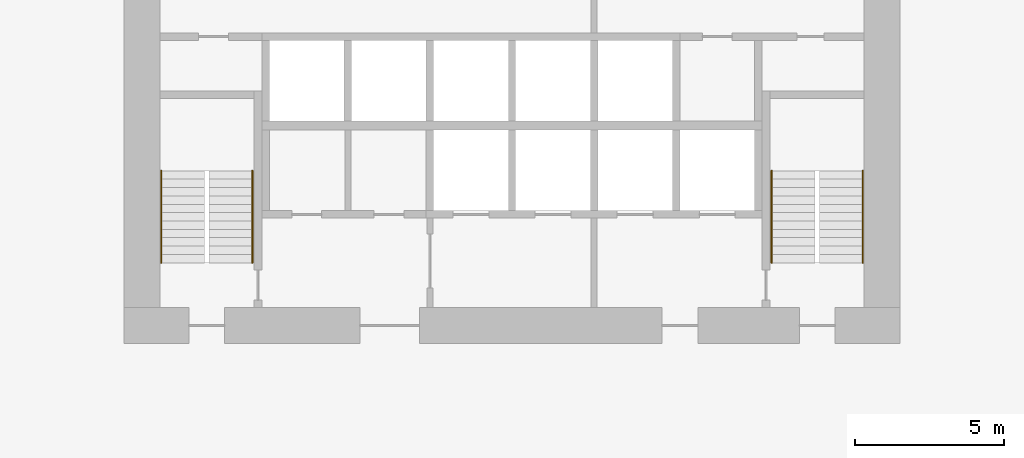
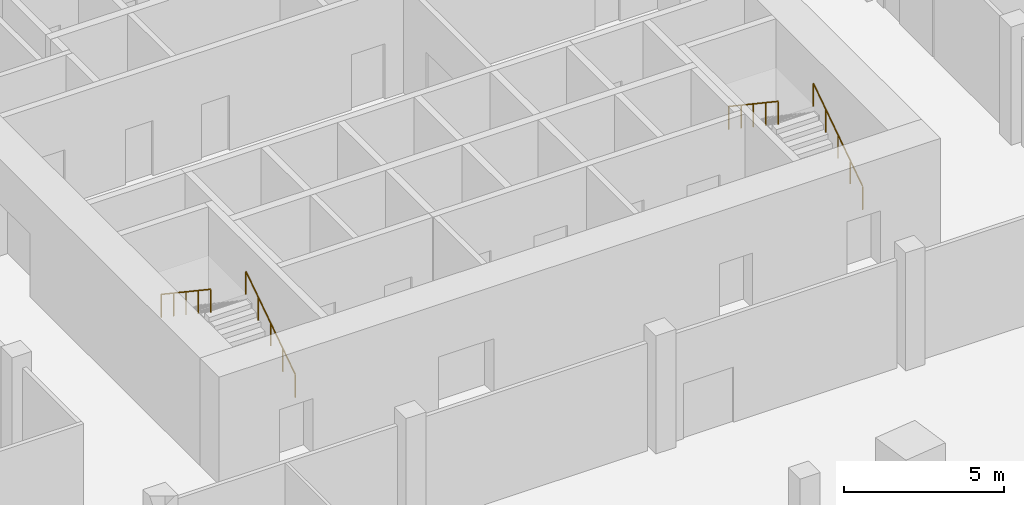
# One storey, part 22 of 27: 4 railings.
"""IFC4 building model written with IfcOpenShell, lengths in metres."""

from ifc_helpers import new_model, si_unit, direction, frame, origin, origin_2d, place, context, subcontext, project, spatial, circle, extrude, material, type_object, element, save


model = new_model("IFC4")

# Units and contexts
model_context = context("Model", 3, precision=1e-05, world=origin(), true_north=direction((0.0, 1.0)))
body_context = subcontext(model_context, "Body", "Model", "MODEL_VIEW")
ifc_project = project(units=[si_unit("LENGTHUNIT", "METRE"), si_unit("AREAUNIT", "SQUARE_METRE"), si_unit("VOLUMEUNIT", "CUBIC_METRE"), si_unit("PLANEANGLEUNIT", "RADIAN"), si_unit("MASSUNIT", "GRAM", prefix="KILO")], contexts=[model_context])

# Site, building, storey
site_placement = place(None, origin())
site = spatial("IfcSite", under=ifc_project, at=site_placement, CompositionType="ELEMENT")
building_placement = place(site_placement, origin())
building = spatial("IfcBuilding", under=site, at=building_placement, Name="Dilmun Exchange Tower", CompositionType="ELEMENT")
storey_placement = place(building_placement, frame((0.0, 0.0, 4.5)))
storey = spatial("IfcBuildingStorey", under=building, at=storey_placement, Name="L01", CompositionType="ELEMENT", Elevation=4.5)

# Railings
ifc_material = material(Name="Stainless steel", Category="steel")
railing_type = type_object("IfcRailingType", Name="Stair handrail 900", PredefinedType="HANDRAIL", material=ifc_material)
railing_1_placement = place(storey_placement, frame((-8.699951171875, -10.300048828125, 0.1875)))
element("IfcRailing", 1, at=railing_1_placement, inside=storey, type_object=railing_type, Name="L01 ST2 stair handrail 1", PredefinedType="HANDRAIL", context=body_context, shape_type="SweptSolid", body=[
    extrude(circle(Radius=0.02392578125, at=origin_2d()), frame((0.0, 0.0, 0.8759765625), z_axis=(0.0, 0.830913701846, 0.55640131208), x_axis=(-1.0, 0.0, 0.0)), (0.0, 0.0, 1.0), 3.706787109375),
    extrude(circle(Radius=0.02099609375, at=origin_2d()), origin(), (0.0, 0.0, 1.0), 0.851806640625),
    extrude(circle(Radius=0.02099609375, at=origin_2d()), frame((0.0, 0.77001953125, 0.515625)), (0.0, 0.0, 1.0), 0.851806640625),
    extrude(circle(Radius=0.02099609375, at=origin_2d()), frame((0.0, 1.5400390625, 1.03125)), (0.0, 0.0, 1.0), 0.851806640625),
    extrude(circle(Radius=0.02099609375, at=origin_2d()), frame((0.0, 2.31005859375, 1.546875)), (0.0, 0.0, 1.0), 0.851806640625),
    extrude(circle(Radius=0.02099609375, at=origin_2d()), frame((0.0, 3.080078125, 2.0625)), (0.0, 0.0, 1.0), 0.851806640625),
])
railing_2_placement = place(storey_placement, frame((-11.75, -7.219970703125, 2.4375)))
element("IfcRailing", 2, at=railing_2_placement, inside=storey, type_object=railing_type, Name="L01 ST2 stair handrail 2", PredefinedType="HANDRAIL", context=body_context, shape_type="SweptSolid", body=[
    extrude(circle(Radius=0.02392578125, at=origin_2d()), frame((0.0, 0.0, 0.8759765625), z_axis=(0.0, -0.830913701846, 0.55640131208), x_axis=(1.0, 0.0, 0.0)), (0.0, 0.0, 1.0), 3.706787109375),
    extrude(circle(Radius=0.02099609375, at=origin_2d()), origin(), (0.0, 0.0, 1.0), 0.851806640625),
    extrude(circle(Radius=0.02099609375, at=origin_2d()), frame((0.0, -0.77001953125, 0.515625)), (0.0, 0.0, 1.0), 0.851806640625),
    extrude(circle(Radius=0.02099609375, at=origin_2d()), frame((0.0, -1.5400390625, 1.03125)), (0.0, 0.0, 1.0), 0.851806640625),
    extrude(circle(Radius=0.02099609375, at=origin_2d()), frame((0.0, -2.31005859375, 1.546875)), (0.0, 0.0, 1.0), 0.851806640625),
    extrude(circle(Radius=0.02099609375, at=origin_2d()), frame((0.0, -3.080078125, 2.0625)), (0.0, 0.0, 1.0), 0.851806640625),
])
railing_3_placement = place(storey_placement, frame((11.75, -10.300048828125, 0.1875)))
element("IfcRailing", 3, at=railing_3_placement, inside=storey, type_object=railing_type, Name="L01 ST3 stair handrail 1", PredefinedType="HANDRAIL", context=body_context, shape_type="SweptSolid", body=[
    extrude(circle(Radius=0.02392578125, at=origin_2d()), frame((0.0, 0.0, 0.8759765625), z_axis=(0.0, 0.830913701846, 0.55640131208), x_axis=(-1.0, 0.0, 0.0)), (0.0, 0.0, 1.0), 3.706787109375),
    extrude(circle(Radius=0.02099609375, at=origin_2d()), origin(), (0.0, 0.0, 1.0), 0.851806640625),
    extrude(circle(Radius=0.02099609375, at=origin_2d()), frame((0.0, 0.77001953125, 0.515625)), (0.0, 0.0, 1.0), 0.851806640625),
    extrude(circle(Radius=0.02099609375, at=origin_2d()), frame((0.0, 1.5400390625, 1.03125)), (0.0, 0.0, 1.0), 0.851806640625),
    extrude(circle(Radius=0.02099609375, at=origin_2d()), frame((0.0, 2.31005859375, 1.546875)), (0.0, 0.0, 1.0), 0.851806640625),
    extrude(circle(Radius=0.02099609375, at=origin_2d()), frame((0.0, 3.080078125, 2.0625)), (0.0, 0.0, 1.0), 0.851806640625),
])
railing_4_placement = place(storey_placement, frame((8.699951171875, -7.219970703125, 2.4375)))
element("IfcRailing", 4, at=railing_4_placement, inside=storey, type_object=railing_type, Name="L01 ST3 stair handrail 2", PredefinedType="HANDRAIL", context=body_context, shape_type="SweptSolid", body=[
    extrude(circle(Radius=0.02392578125, at=origin_2d()), frame((0.0, 0.0, 0.8759765625), z_axis=(0.0, -0.830913701846, 0.55640131208), x_axis=(1.0, 0.0, 0.0)), (0.0, 0.0, 1.0), 3.706787109375),
    extrude(circle(Radius=0.02099609375, at=origin_2d()), origin(), (0.0, 0.0, 1.0), 0.851806640625),
    extrude(circle(Radius=0.02099609375, at=origin_2d()), frame((0.0, -0.77001953125, 0.515625)), (0.0, 0.0, 1.0), 0.851806640625),
    extrude(circle(Radius=0.02099609375, at=origin_2d()), frame((0.0, -1.5400390625, 1.03125)), (0.0, 0.0, 1.0), 0.851806640625),
    extrude(circle(Radius=0.02099609375, at=origin_2d()), frame((0.0, -2.31005859375, 1.546875)), (0.0, 0.0, 1.0), 0.851806640625),
    extrude(circle(Radius=0.02099609375, at=origin_2d()), frame((0.0, -3.080078125, 2.0625)), (0.0, 0.0, 1.0), 0.851806640625),
])

save(model, "model.ifc")
